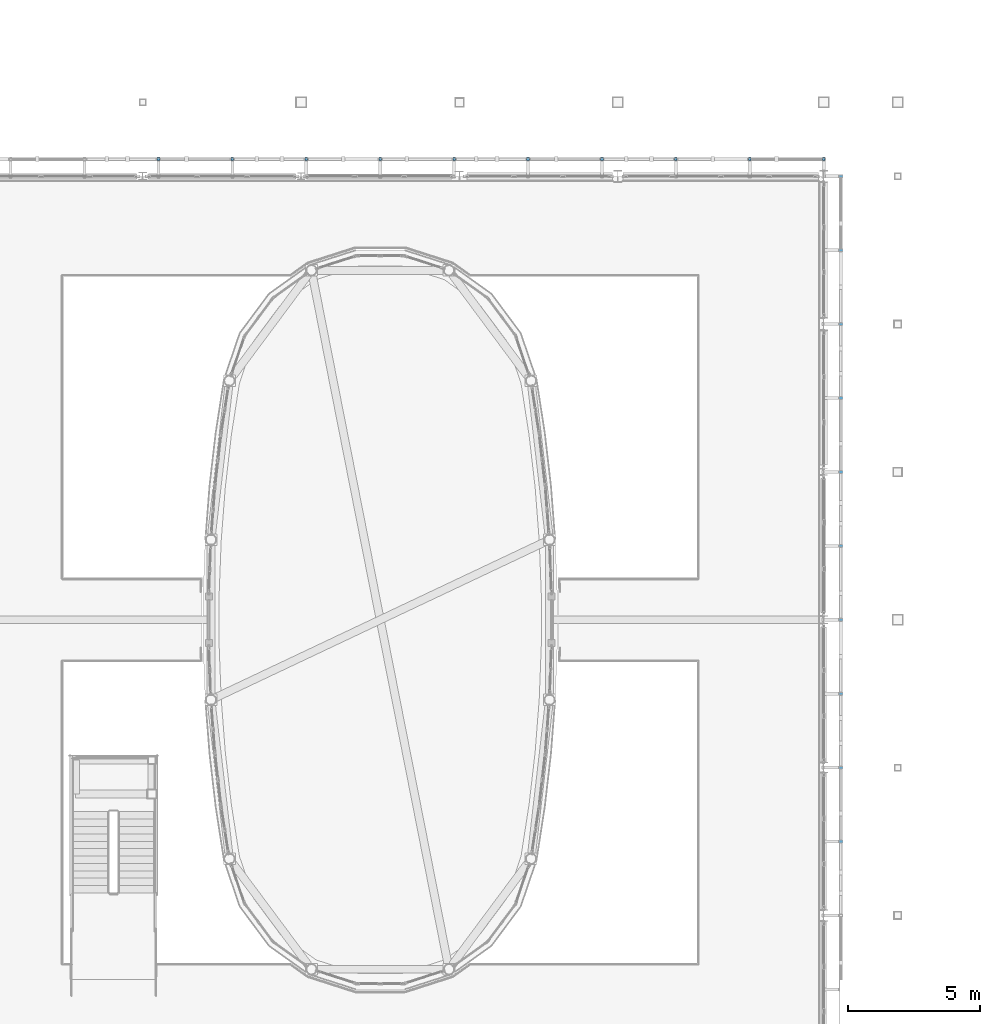
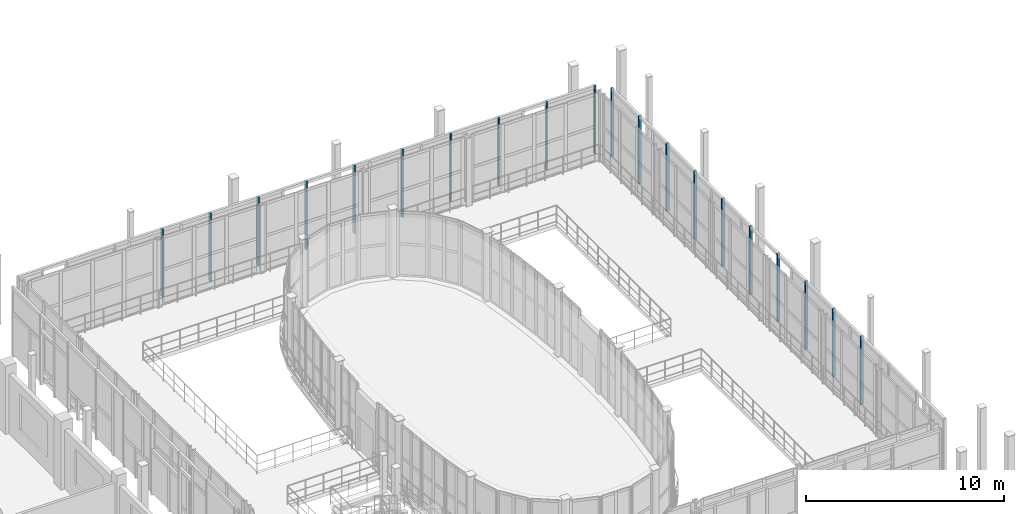
# One storey, part 108 of 121: 20 discrete accessories.
"""IFC4 building model written with IfcOpenShell, lengths in metres."""

from ifc_helpers import new_model, si_unit, direction, frame, origin, origin_2d, place, context, subcontext, project, spatial, rectangle, extrude, material, type_object, element, save


model = new_model("IFC4")

# Units and contexts
model_context = context("Model", 3, precision=1e-05, world=origin(), true_north=direction((0.0, 1.0)))
body_context = subcontext(model_context, "Body", "Model", "MODEL_VIEW")
ifc_project = project(units=[si_unit("LENGTHUNIT", "METRE"), si_unit("AREAUNIT", "SQUARE_METRE"), si_unit("VOLUMEUNIT", "CUBIC_METRE"), si_unit("PLANEANGLEUNIT", "RADIAN"), si_unit("MASSUNIT", "GRAM", prefix="KILO")], contexts=[model_context])

# Site, building, storey
site_placement = place(None, origin())
site = spatial("IfcSite", under=ifc_project, at=site_placement, CompositionType="ELEMENT")
building_placement = place(site_placement, origin())
building = spatial("IfcBuilding", under=site, at=building_placement, Name="Vinh Khe Railworks Police Headquarters", CompositionType="ELEMENT")
storey_placement = place(building_placement, frame((0.0, 0.0, 4.800048828125)))
storey = spatial("IfcBuildingStorey", under=building, at=storey_placement, Name="L01", CompositionType="ELEMENT", Elevation=4.800048828125)

# Discrete accessories
ifc_material = material(Name="Steel S355JR", Category="steel")
discrete_accessory_type = type_object("IfcDiscreteAccessoryType", Name="SCR-MULL-RHS150", PredefinedType="BRACKET", material=ifc_material)
for number, where, z_axis, x_axis, name in (
    (1, (34.800048828125, 59.449951171875, 0.0), (0.0, 0.0, 1.0), (1.0, 0.0, 0.0), "Patchwork Screen Vertical Support Channel N-4 L01"),
    (2, (37.60009765625, 59.449951171875, 0.0), (0.0, 0.0, 1.0), (1.0, 0.0, 0.0), "Patchwork Screen Vertical Support Channel N-5 L01"),
    (3, (40.39990234375, 59.449951171875, 0.0), (0.0, 0.0, 1.0), (1.0, 0.0, 0.0), "Patchwork Screen Vertical Support Channel N-6 L01"),
    (4, (43.199951171875, 59.449951171875, 0.0), (0.0, 0.0, 1.0), (1.0, 0.0, 0.0), "Patchwork Screen Vertical Support Channel N-7 L01"),
    (5, (46.0, 59.449951171875, 0.0), (0.0, 0.0, 1.0), (1.0, 0.0, 0.0), "Patchwork Screen Vertical Support Channel N-8 L01"),
    (6, (48.800048828125, 59.449951171875, 0.0), (0.0, 0.0, 1.0), (1.0, 0.0, 0.0), "Patchwork Screen Vertical Support Channel N-9 L01"),
    (7, (51.60009765625, 59.449951171875, 0.0), (0.0, 0.0, 1.0), (1.0, 0.0, 0.0), "Patchwork Screen Vertical Support Channel N-10 L01"),
    (8, (54.39990234375, 59.449951171875, 0.0), (0.0, 0.0, 1.0), (1.0, 0.0, 0.0), "Patchwork Screen Vertical Support Channel N-11 L01"),
    (9, (57.199951171875, 59.449951171875, 0.0), (0.0, 0.0, 1.0), (1.0, 0.0, 0.0), "Patchwork Screen Vertical Support Channel N-12 L01"),
    (10, (60.0, 59.449951171875, 0.0), (0.0, 0.0, 1.0), (1.0, 0.0, 0.0), "Patchwork Screen Vertical Support Channel N-13 L01"),
):
    element("IfcDiscreteAccessory", number, at=place(storey_placement, frame(where, z_axis=z_axis, x_axis=x_axis)), inside=storey, type_object=discrete_accessory_type, Name=name, PredefinedType="BRACKET", context=body_context, shape_type="SweptSolid", body=[
        extrude(rectangle(XDim=0.10009765625, YDim=0.14990234375, at=origin_2d()), origin(), (0.0, 0.0, 1.0), 4.199951171875),
    ])
for number, where, z_axis, x_axis, name in (
    (11, (60.64990234375, 33.60009765625, 0.0), (0.0, 0.0, 1.0), (1.0, 0.0, 0.0), "Patchwork Screen Vertical Support Channel E-4 L01"),
    (12, (60.64990234375, 36.39990234375, 0.0), (0.0, 0.0, 1.0), (1.0, 0.0, 0.0), "Patchwork Screen Vertical Support Channel E-5 L01"),
    (13, (60.64990234375, 39.199951171875, 0.0), (0.0, 0.0, 1.0), (1.0, 0.0, 0.0), "Patchwork Screen Vertical Support Channel E-6 L01"),
    (14, (60.64990234375, 42.0, 0.0), (0.0, 0.0, 1.0), (1.0, 0.0, 0.0), "Patchwork Screen Vertical Support Channel E-7 L01"),
    (15, (60.64990234375, 44.800048828125, 0.0), (0.0, 0.0, 1.0), (1.0, 0.0, 0.0), "Patchwork Screen Vertical Support Channel E-8 L01"),
    (16, (60.64990234375, 47.60009765625, 0.0), (0.0, 0.0, 1.0), (1.0, 0.0, 0.0), "Patchwork Screen Vertical Support Channel E-9 L01"),
    (17, (60.64990234375, 50.39990234375, 0.0), (0.0, 0.0, 1.0), (1.0, 0.0, 0.0), "Patchwork Screen Vertical Support Channel E-10 L01"),
    (18, (60.64990234375, 53.199951171875, 0.0), (0.0, 0.0, 1.0), (1.0, 0.0, 0.0), "Patchwork Screen Vertical Support Channel E-11 L01"),
    (19, (60.64990234375, 56.0, 0.0), (0.0, 0.0, 1.0), (1.0, 0.0, 0.0), "Patchwork Screen Vertical Support Channel E-12 L01"),
    (20, (60.64990234375, 58.800048828125, 0.0), (0.0, 0.0, 1.0), (1.0, 0.0, 0.0), "Patchwork Screen Vertical Support Channel E-13 L01"),
):
    element("IfcDiscreteAccessory", number, at=place(storey_placement, frame(where, z_axis=z_axis, x_axis=x_axis)), inside=storey, type_object=discrete_accessory_type, Name=name, PredefinedType="BRACKET", context=body_context, shape_type="SweptSolid", body=[
        extrude(rectangle(XDim=0.14990234375, YDim=0.10009765625, at=origin_2d()), origin(), (0.0, 0.0, 1.0), 4.199951171875),
    ])

save(model, "model.ifc")
